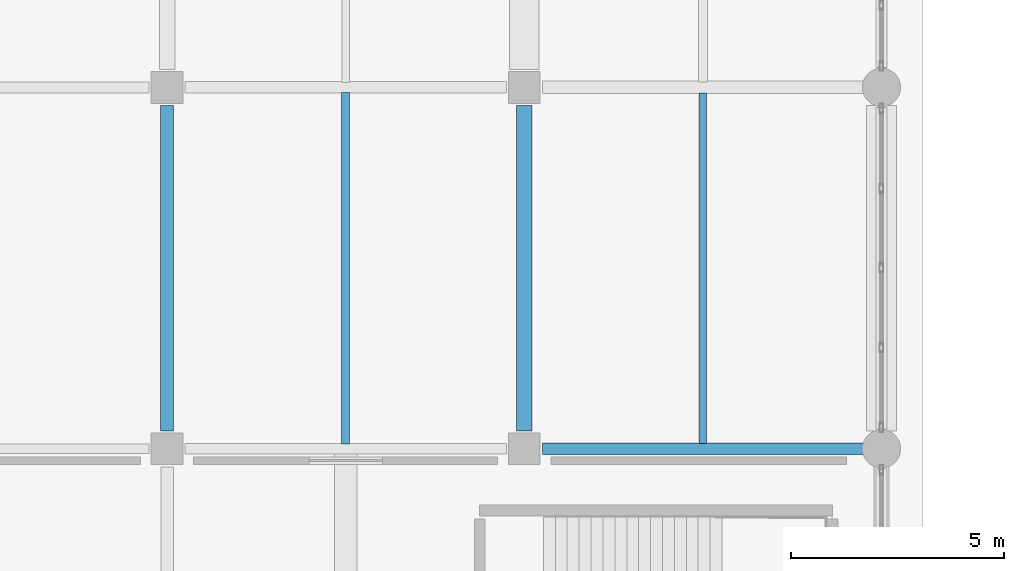
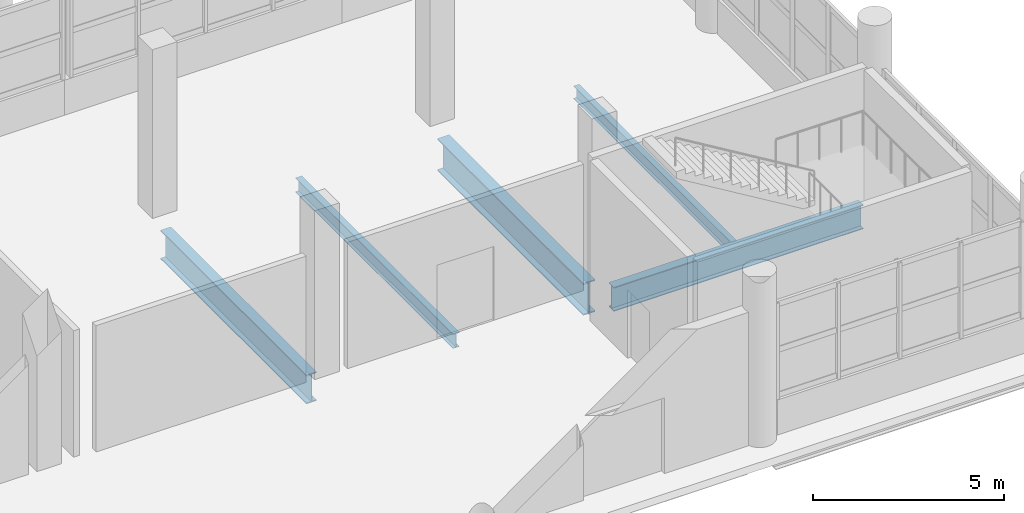
# One storey, part 56 of 107: 5 beams.
"""IFC4 building model written with IfcOpenShell, lengths in metres."""

from ifc_helpers import new_model, si_unit, direction, frame, origin, origin_2d, place, context, subcontext, project, spatial, i_section, extrude, material, material_profile, profile_set, type_object, element, save


model = new_model("IFC4")

# Units and contexts
model_context = context("Model", 3, precision=1e-05, world=origin(), true_north=direction((0.0, 1.0)))
body_context = subcontext(model_context, "Body", "Model", "MODEL_VIEW")
ifc_project = project(units=[si_unit("LENGTHUNIT", "METRE"), si_unit("AREAUNIT", "SQUARE_METRE"), si_unit("VOLUMEUNIT", "CUBIC_METRE"), si_unit("PLANEANGLEUNIT", "RADIAN"), si_unit("MASSUNIT", "GRAM", prefix="KILO")], contexts=[model_context])

# Site, building, storey
site_placement = place(None, origin())
site = spatial("IfcSite", under=ifc_project, at=site_placement, CompositionType="ELEMENT")
building_placement = place(site_placement, origin())
building = spatial("IfcBuilding", under=site, at=building_placement, Name="Solvento Point Concert Hall", CompositionType="ELEMENT")
storey_placement = place(building_placement, origin())
storey = spatial("IfcBuildingStorey", under=building, at=storey_placement, Name="L00", CompositionType="ELEMENT", Elevation=0.0)

# Beams
ifc_material_1 = material(Name="Structural Steel ASTM A992 Grade 50", Category="steel")
ifc_material_profile_1 = material_profile(ifc_material_1, i_section(OverallWidth=0.26806640625, OverallDepth=0.77001953125, WebThickness=0.015625, FlangeThickness=0.025390625, at=origin_2d()), Name="W30X132")
ifc_profile_set_1 = profile_set([ifc_material_profile_1], Name="Structural Steel ASTM A992 Grade 50")
beam_type_1 = type_object("IfcBeamType", Name="Girder_W30X132", PredefinedType="USERDEFINED", material=ifc_profile_set_1)
beam_1_placement = place(storey_placement, frame((200.823974609375, 8.5, -0.799072265625), z_axis=(1.0, 0.0, 0.0), x_axis=(0.0, 1.0, 0.0)))
element("IfcBeam", 1, at=beam_1_placement, inside=storey, type_object=beam_type_1, Name="Primary girder B-68 L00", ObjectType="GIRDER", PredefinedType="USERDEFINED", context=body_context, shape_type="SweptSolid", body=[
    extrude(i_section(OverallWidth=0.26806640625, OverallDepth=0.77001953125, WebThickness=0.015625, FlangeThickness=0.025390625, at=origin_2d()), origin(), (0.0, 0.0, 1.0), 7.552001953125),
])
ifc_material_2 = material(Name="Structural Steel ASTM A992 Grade 50", Category="steel")
ifc_material_profile_2 = material_profile(ifc_material_2, i_section(OverallWidth=0.3076171875, OverallDepth=0.927001953125, WebThickness=0.019287109375, FlangeThickness=0.031982421875, at=origin_2d()), Name="W36X194")
ifc_profile_set_2 = profile_set([ifc_material_profile_2], Name="Structural Steel ASTM A992 Grade 50")
beam_type_2 = type_object("IfcBeamType", Name="Girder_W36X194", PredefinedType="USERDEFINED", material=ifc_profile_set_2)
beam_2_placement = place(storey_placement, frame((192.0, 8.924072265625, -0.87744140625), z_axis=(0.0, 1.0, 0.0), x_axis=(-1.0, 0.0, 0.0)))
element("IfcBeam", 2, at=beam_2_placement, inside=storey, type_object=beam_type_2, Name="Primary girder B-61 L00", ObjectType="GIRDER", PredefinedType="USERDEFINED", context=body_context, shape_type="SweptSolid", body=[
    extrude(i_section(OverallWidth=0.3076171875, OverallDepth=0.927001953125, WebThickness=0.019287109375, FlangeThickness=0.031982421875, at=origin_2d()), origin(), (0.0, 0.0, 1.0), 7.65185546875),
])
ifc_material_3 = material(Name="Structural Steel ASTM A992 Grade 50", Category="steel")
ifc_material_profile_3 = material_profile(ifc_material_3, i_section(OverallWidth=0.361083984375, OverallDepth=1.02587890625, WebThickness=0.01904296875, FlangeThickness=0.0361328125, at=origin_2d()), Name="W40X249")
ifc_profile_set_3 = profile_set([ifc_material_profile_3], Name="Structural Steel ASTM A992 Grade 50")
beam_type_3 = type_object("IfcBeamType", Name="Girder_W40X249", PredefinedType="USERDEFINED", material=ifc_profile_set_3)
beam_3_placement = place(storey_placement, frame((200.39990234375, 8.924072265625, -0.927001953125), z_axis=(0.0, 1.0, 0.0), x_axis=(-1.0, 0.0, 0.0)))
element("IfcBeam", 3, at=beam_3_placement, inside=storey, type_object=beam_type_3, Name="Primary girder B-29 L00", ObjectType="GIRDER", PredefinedType="USERDEFINED", context=body_context, shape_type="SweptSolid", body=[
    extrude(i_section(OverallWidth=0.361083984375, OverallDepth=1.02587890625, WebThickness=0.01904296875, FlangeThickness=0.0361328125, at=origin_2d()), origin(), (0.0, 0.0, 1.0), 7.65185546875),
])
ifc_material_4 = material(Name="Structural Steel ASTM A992 Grade 50", Category="steel")
ifc_material_profile_4 = material_profile(ifc_material_4, i_section(OverallWidth=0.177490234375, OverallDepth=0.403076171875, WebThickness=0.007568359375, FlangeThickness=0.010986328125, at=origin_2d()), Name="W16X36")
ifc_profile_set_4 = profile_set([ifc_material_profile_4], Name="Structural Steel ASTM A992 Grade 50")
beam_type_4 = type_object("IfcBeamType", Name="Joist_W16X36", PredefinedType="JOIST", material=ifc_profile_set_4)
beam_4_placement = place(storey_placement, frame((204.60009765625, 8.618896484375, -0.615478515625), z_axis=(0.0, 1.0, 0.0), x_axis=(-1.0, 0.0, 0.0)))
element("IfcBeam", 4, at=beam_4_placement, inside=storey, type_object=beam_type_4, Name="Secondary floor joist B-30 L00", PredefinedType="JOIST", context=body_context, shape_type="SweptSolid", body=[
    extrude(i_section(OverallWidth=0.177490234375, OverallDepth=0.403076171875, WebThickness=0.007568359375, FlangeThickness=0.010986328125, at=origin_2d()), origin(), (0.0, 0.0, 1.0), 8.25),
])
ifc_material_5 = material(Name="Structural Steel ASTM A992 Grade 50", Category="steel")
ifc_material_profile_5 = material_profile(ifc_material_5, i_section(OverallWidth=0.1904296875, OverallDepth=0.45703125, WebThickness=0.009033203125, FlangeThickness=0.014404296875, at=origin_2d()), Name="W18X50")
ifc_profile_set_5 = profile_set([ifc_material_profile_5], Name="Structural Steel ASTM A992 Grade 50")
beam_type_5 = type_object("IfcBeamType", Name="Joist_W18X50", PredefinedType="JOIST", material=ifc_profile_set_5)
beam_5_placement = place(storey_placement, frame((196.199951171875, 8.613037109375, -0.642578125), z_axis=(0.0, 1.0, 0.0), x_axis=(-1.0, 0.0, 0.0)))
element("IfcBeam", 5, at=beam_5_placement, inside=storey, type_object=beam_type_5, Name="Secondary floor joist B-66 L00", PredefinedType="JOIST", context=body_context, shape_type="SweptSolid", body=[
    extrude(i_section(OverallWidth=0.1904296875, OverallDepth=0.45703125, WebThickness=0.009033203125, FlangeThickness=0.014404296875, at=origin_2d()), origin(), (0.0, 0.0, 1.0), 8.26806640625),
])

save(model, "model.ifc")
